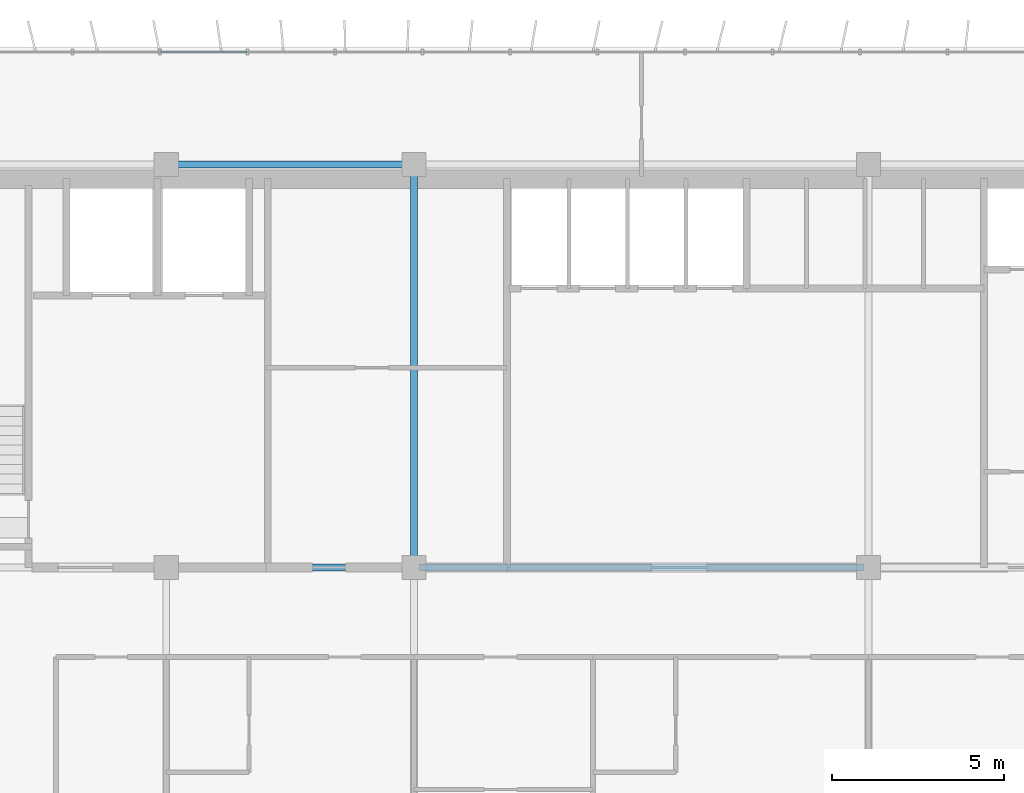
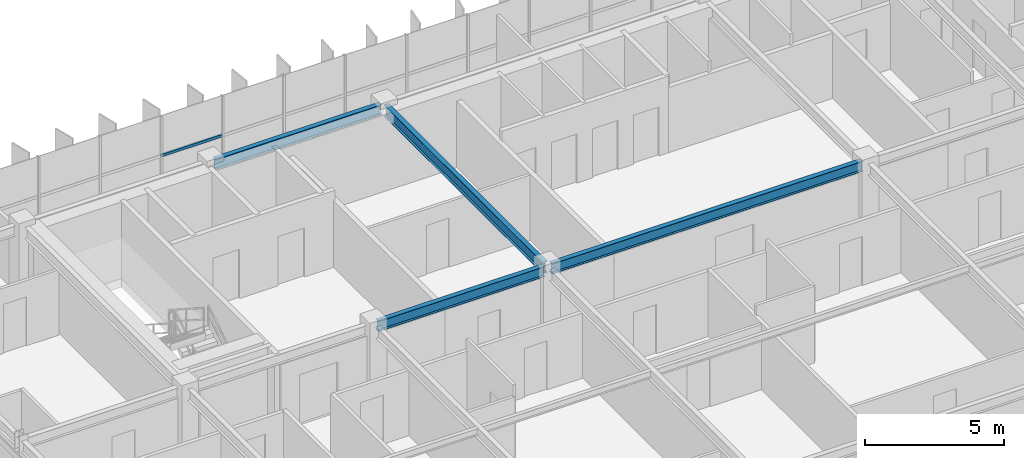
# One storey, part 7 of 23: 4 beams, 1 member, 1 element without a shape of its own.
"""IFC4 building model written with IfcOpenShell, lengths in metres."""

import ifcopenshell
import ifcopenshell.guid

model = None  # the IFC model being written
_history = None  # IfcOwnerHistory: only IFC2X3 demands one
_inside = {}  # id of a spatial element -> (the spatial element, [elements in it])
_under = {}  # id of a project, library or spatial element -> (it, [spatial elements below it])
_declared = {}  # id of a project -> (the project, [libraries it declares])
_typed = {}  # id of a type object -> (the type object, [elements of that type])
_made_of = {}  # id of a material, layer set ... -> (it, [elements and type objects made of it])


def new_model(schema):
    """Start an empty IFC model of exactly this schema.

    Asked for "IFC4X3", IfcOpenShell would pick the latest addendum, in which some entities
    have other attributes; the version numbers below select the first issue.
    IFC2X3 requires an IfcOwnerHistory on every rooted entity: one is made here for all.
    """
    global model, _history
    if schema == "IFC4X3":
        model = ifcopenshell.file(schema_version=(4, 3, 0, 0))
    else:
        model = ifcopenshell.file(schema=schema)
    _inside.clear()
    _under.clear()
    _declared.clear()
    _typed.clear()
    _made_of.clear()
    _history = None
    if model.schema == "IFC2X3":
        org = make("IfcOrganization", Name="unknown")
        user = make(
            "IfcPersonAndOrganization",
            ThePerson=make("IfcPerson", FamilyName="unknown"),
            TheOrganization=org,
        )
        app = make(
            "IfcApplication",
            ApplicationDeveloper=org,
            Version="unknown",
            ApplicationFullName="unknown",
            ApplicationIdentifier="unknown",
        )
        _history = make(
            "IfcOwnerHistory",
            OwningUser=user,
            OwningApplication=app,
            ChangeAction="ADDED",
            CreationDate=0,
        )
    return model


def make(cls, **values):
    """One entity of the class cls with the attributes given. An attribute that is None is left unset."""
    return model.create_entity(
        cls, **{name: value for name, value in values.items() if value is not None}
    )


def rooted(cls, **values):
    """An entity with a GlobalId (a new one), such as an element, a storey or a relation."""
    return make(cls, GlobalId=ifcopenshell.guid.new(), OwnerHistory=_history, **values)


def si_unit(unit_type, name, prefix=None):
    """IfcSIUnit, for example si_unit("LENGTHUNIT", "METRE", prefix="MILLI")."""
    return make("IfcSIUnit", UnitType=unit_type, Prefix=prefix, Name=name)


def assignment(units):
    """IfcUnitAssignment: the units of a project."""
    return None if units is None else make("IfcUnitAssignment", Units=units)


def point(xyz):
    """IfcCartesianPoint."""
    return None if xyz is None else make("IfcCartesianPoint", Coordinates=xyz)


def direction(xyz):
    """IfcDirection."""
    return None if xyz is None else make("IfcDirection", DirectionRatios=xyz)


def frame(location, z_axis=None, x_axis=None):
    """IfcAxis2Placement3D, a coordinate frame: its origin and axes. An axis left out is left unset."""
    return make(
        "IfcAxis2Placement3D",
        Location=point(location),
        Axis=direction(z_axis),
        RefDirection=direction(x_axis),
    )


def frame_2d(location, x_axis=None):
    """IfcAxis2Placement2D, a coordinate frame in the plane: its origin and x axis."""
    return make(
        "IfcAxis2Placement2D", Location=point(location), RefDirection=direction(x_axis)
    )


def origin():
    """The frame at (0, 0, 0) with its axes left unset."""
    return frame((0.0, 0.0, 0.0))


def origin_2d():
    """The frame at (0, 0) in the plane with its x axis left unset."""
    return frame_2d((0.0, 0.0))


def place(relative_to, where):
    """IfcLocalPlacement: puts the frame where relative to a parent placement (None: the world)."""
    return make(
        "IfcLocalPlacement", PlacementRelTo=relative_to, RelativePlacement=where
    )


def context(
    kind, dimensions, precision=None, world=None, true_north=None, identifier=None
):
    """IfcGeometricRepresentationContext, for example the 3D "Model" context."""
    return make(
        "IfcGeometricRepresentationContext",
        ContextIdentifier=identifier,
        ContextType=kind,
        CoordinateSpaceDimension=dimensions,
        Precision=precision,
        WorldCoordinateSystem=world,
        TrueNorth=true_north,
    )


def subcontext(parent, identifier, kind, view, scale=None):
    """IfcGeometricRepresentationSubContext, for example "Body" below "Model"."""
    return make(
        "IfcGeometricRepresentationSubContext",
        ContextIdentifier=identifier,
        ContextType=kind,
        ParentContext=parent,
        TargetScale=scale,
        TargetView=view,
    )


def project(units=None, contexts=None):
    """IfcProject with its units and contexts."""
    return rooted(
        "IfcProject",
        Name="project",
        RepresentationContexts=contexts,
        UnitsInContext=assignment(units),
    )


def spatial(cls, under=None, at=None, **own):
    """A site, building, storey or space (cls), placed at a placement, below another one or the project."""
    s = rooted(cls, ObjectPlacement=at, **own)
    if under is not None:
        _under.setdefault(under.id(), (under, []))[1].append(s)
    return s


def profile(cls, at=None, kind="AREA", **sizes):
    """A parametric profile (cls). Its sizes go by their IFC names, for example OverallWidth=200.0."""
    return make(cls, ProfileType=kind, Position=at, **sizes)


def hollow_rectangle(**sizes):
    """IfcRectangleHollowProfileDef."""
    return profile("IfcRectangleHollowProfileDef", **sizes)


def i_section(**sizes):
    """IfcIShapeProfileDef."""
    return profile("IfcIShapeProfileDef", **sizes)


def extrude(swept, where, along, depth):
    """IfcExtrudedAreaSolid: the profile swept, set in the frame where, extruded along a direction by depth."""
    return make(
        "IfcExtrudedAreaSolid",
        SweptArea=swept,
        Position=where,
        ExtrudedDirection=direction(along),
        Depth=depth,
    )


def shape(context_of_items, identifier, shape_type, items):
    """IfcShapeRepresentation: the items that make up one representation, for example the "Body"."""
    return make(
        "IfcShapeRepresentation",
        ContextOfItems=context_of_items,
        RepresentationIdentifier=identifier,
        RepresentationType=shape_type,
        Items=items,
    )


def source(mapping_origin, context_of_items, identifier, shape_type, items):
    """IfcRepresentationMap: a shape defined once, which mapped items show again and again."""
    return make(
        "IfcRepresentationMap",
        MappingOrigin=mapping_origin,
        MappedRepresentation=shape(context_of_items, identifier, shape_type, items),
    )


def transform(
    local_origin,
    x_axis=None,
    y_axis=None,
    z_axis=None,
    scale=None,
    scale2=None,
    scale3=None,
    uniform=True,
):
    """IfcCartesianTransformationOperator3D, or its non-uniform kind. x_axis, y_axis, z_axis: its Axis1, 2, 3."""
    if uniform:
        return make(
            "IfcCartesianTransformationOperator3D",
            Axis1=direction(x_axis),
            Axis2=direction(y_axis),
            LocalOrigin=point(local_origin),
            Scale=scale,
            Axis3=direction(z_axis),
        )
    return make(
        "IfcCartesianTransformationOperator3DnonUniform",
        Axis1=direction(x_axis),
        Axis2=direction(y_axis),
        LocalOrigin=point(local_origin),
        Scale=scale,
        Axis3=direction(z_axis),
        Scale2=scale2,
        Scale3=scale3,
    )


def mapped(mapping_source, mapping_target):
    """IfcMappedItem: shows the shape of a source again, moved by a transform."""
    return make(
        "IfcMappedItem", MappingSource=mapping_source, MappingTarget=mapping_target
    )


def material(Name=None, Category=None):
    """IfcMaterial."""
    return make("IfcMaterial", Name=Name, Category=Category)


def material_profile(
    of_material, cross_section, Name=None, Category=None, Priority=None
):
    """IfcMaterialProfile: a cross section and its material."""
    return make(
        "IfcMaterialProfile",
        Name=Name,
        Material=of_material,
        Profile=cross_section,
        Priority=Priority,
        Category=Category,
    )


def profile_set(profiles, Name=None, composite=None):
    """IfcMaterialProfileSet."""
    return make(
        "IfcMaterialProfileSet",
        Name=Name,
        MaterialProfiles=profiles,
        CompositeProfile=composite,
    )


def made_of(thing, what):
    """Note that an element or type object is made of a material, layer set ...; save() writes the relation."""
    if what is not None:
        _made_of.setdefault(what.id(), (what, []))[1].append(thing)
    return thing


def type_object(cls, material=None, **own):
    """A type object (cls), such as IfcWallType, which elements share."""
    return made_of(rooted(cls, **own), material)


def element(
    cls,
    number,
    at=None,
    inside=None,
    cuts=None,
    type_object=None,
    material=None,
    context=None,
    identifier="Body",
    shape_type=None,
    held_by="IfcProductDefinitionShape",
    body=None,
    shapes=None,
    **own,
):
    """One element of the class cls, such as IfcWall. Its Tag is "e" and its number.

    at: its placement. inside: the storey or other place that contains it. cuts: it is an
    opening in that element (IfcRelVoidsElement). A single representation is given by context,
    identifier, shape_type and body (its items); several are given by shapes. held_by: the class
    of the entity that holds the representations. save() writes the other relations.
    """
    e = rooted(cls, Tag="e%d" % number, ObjectPlacement=at, **own)
    if body is not None:
        shapes = [shape(context, identifier, shape_type, body)]
    if shapes is not None:
        e.Representation = make(held_by, Representations=shapes)
    if inside is not None:
        _inside.setdefault(inside.id(), (inside, []))[1].append(e)
    if cuts is not None:
        rooted(
            "IfcRelVoidsElement", RelatingBuildingElement=cuts, RelatedOpeningElement=e
        )
    if type_object is not None:
        _typed.setdefault(type_object.id(), (type_object, []))[1].append(e)
    return made_of(e, material)


def aggregate(whole, parts):
    """IfcRelAggregates: a whole, such as a stair, and the parts it consists of."""
    return rooted("IfcRelAggregates", RelatingObject=whole, RelatedObjects=parts)


def save(model, path):
    """Write the relations noted so far, then the file.

    IfcRelAggregates (storeys below a building ...), IfcRelContainedInSpatialStructure (elements
    in a storey), IfcRelDefinesByType, IfcRelAssociatesMaterial and IfcRelDeclares: one each for
    every whole, place, type object, material and project.
    """
    for whole, parts in _under.values():
        aggregate(whole, parts)
    for where, things in _inside.values():
        rooted(
            "IfcRelContainedInSpatialStructure",
            RelatedElements=things,
            RelatingStructure=where,
        )
    for kind, things in _typed.values():
        rooted("IfcRelDefinesByType", RelatedObjects=things, RelatingType=kind)
    for what, things in _made_of.values():
        rooted("IfcRelAssociatesMaterial", RelatedObjects=things, RelatingMaterial=what)
    for by, libraries in _declared.values():
        rooted("IfcRelDeclares", RelatingContext=by, RelatedDefinitions=libraries)
    model.write(path)


model = new_model("IFC4")

# Units and contexts
model_context = context("Model", 3, precision=1e-05, world=origin(), true_north=direction((0.0, 1.0)))
body_context = subcontext(model_context, "Body", "Model", "MODEL_VIEW")
ifc_project = project(units=[si_unit("LENGTHUNIT", "METRE"), si_unit("AREAUNIT", "SQUARE_METRE"), si_unit("VOLUMEUNIT", "CUBIC_METRE"), si_unit("PLANEANGLEUNIT", "RADIAN"), si_unit("MASSUNIT", "GRAM", prefix="KILO")], contexts=[model_context])

# Site, building, storey
site_placement = place(None, origin())
site = spatial("IfcSite", under=ifc_project, at=site_placement, CompositionType="ELEMENT")
building_placement = place(site_placement, origin())
building = spatial("IfcBuilding", under=site, at=building_placement, Name="Trelvane Seafront Commons", CompositionType="ELEMENT")
storey_placement = place(building_placement, frame((0.0, 0.0, 204.89990234375)))
storey = spatial("IfcBuildingStorey", under=building, at=storey_placement, Name="L53", CompositionType="ELEMENT", Elevation=204.89990234375)

# Beams
ifc_material_1 = material(Name="Steel SM355 (S355)", Category="steel")
ifc_material_profile_1 = material_profile(ifc_material_1, i_section(OverallWidth=0.199951171875, OverallDepth=0.5, WebThickness=0.010009765625, FlangeThickness=0.01611328125, at=origin_2d()), Name="H-500x200x10x16")
ifc_profile_set_1 = profile_set([ifc_material_profile_1], Name="Steel SM355 (S355)")
beam_type_1 = type_object("IfcBeamType", Name="STR-BM-H500", PredefinedType="BEAM", material=ifc_profile_set_1)
shared_shape_1 = source(origin(), body_context, "Body", "SweptSolid", [
    extrude(i_section(OverallWidth=0.199951171875, OverallDepth=0.5, WebThickness=0.010009765625, FlangeThickness=0.01611328125, at=origin_2d()), origin(), (0.0, 0.0, 1.0), 11.39990234375),
])
beam_1_placement = place(storey_placement, frame((30.60009765625, 33.550048828125, 3.110107421875), z_axis=(0.0, 1.0, 0.0), x_axis=(-1.0, 0.0, 0.0)))
element("IfcBeam", 1, at=beam_1_placement, inside=storey, type_object=beam_type_1, Name="L53 Primary Girder G-40", PredefinedType="BEAM", context=body_context, shape_type="MappedRepresentation", body=[
    mapped(shared_shape_1, transform((0.0, 0.0, 0.0), x_axis=(1.0, 0.0, 0.0), y_axis=(0.0, 1.0, 0.0), z_axis=(0.0, 0.0, 1.0), scale=1.0)),
])
ifc_material_profile_2 = material_profile(ifc_material_1, i_section(OverallWidth=0.199951171875, OverallDepth=0.449951171875, WebThickness=0.009033203125, FlangeThickness=0.013916015625, at=origin_2d()), Name="H-450x200x9x14")
ifc_profile_set_2 = profile_set([ifc_material_profile_2], Name="Steel SM355 (S355)")
beam_type_2 = type_object("IfcBeamType", Name="STR-SPD-H450", PredefinedType="SPANDREL", material=ifc_profile_set_2)
shared_shape_2 = source(origin(), body_context, "Body", "SweptSolid", [
    extrude(i_section(OverallWidth=0.199951171875, OverallDepth=0.449951171875, WebThickness=0.009033203125, FlangeThickness=0.013916015625, at=origin_2d()), origin(), (0.0, 0.0, 1.0), 6.89990234375),
])
for number, where, z_axis, x_axis, name in (
    (2, (23.550048828125, 33.39990234375, 3.135009765625), (1.0, 0.0, 0.0), (0.0, 1.0, 0.0), "L53 Primary Girder G-17"),
    (3, (23.550048828125, 45.10009765625, 3.135009765625), (1.0, 0.0, 0.0), (0.0, 1.0, 0.0), "L53 Primary Girder G-24"),
):
    element("IfcBeam", number, at=place(storey_placement, frame(where, z_axis=z_axis, x_axis=x_axis)), inside=storey, type_object=beam_type_2, Name=name, PredefinedType="SPANDREL", context=body_context, shape_type="MappedRepresentation", body=[
        mapped(shared_shape_2, transform((0.0, 0.0, 0.0), x_axis=(1.0, 0.0, 0.0), y_axis=(0.0, 1.0, 0.0), z_axis=(0.0, 0.0, 1.0), scale=1.0)),
    ])
shared_shape_3 = source(origin(), body_context, "Body", "SweptSolid", [
    extrude(i_section(OverallWidth=0.199951171875, OverallDepth=0.449951171875, WebThickness=0.009033203125, FlangeThickness=0.013916015625, at=origin_2d()), origin(), (0.0, 0.0, 1.0), 12.89990234375),
])
beam_2_placement = place(storey_placement, frame((30.75, 33.39990234375, 3.135009765625), z_axis=(1.0, 0.0, 0.0), x_axis=(0.0, 1.0, 0.0)))
element("IfcBeam", 4, at=beam_2_placement, inside=storey, type_object=beam_type_2, Name="L53 Primary Girder G-18", PredefinedType="SPANDREL", context=body_context, shape_type="MappedRepresentation", body=[
    mapped(shared_shape_3, transform((0.0, 0.0, 0.0), x_axis=(1.0, 0.0, 0.0), y_axis=(0.0, 1.0, 0.0), z_axis=(0.0, 0.0, 1.0), scale=1.0)),
])

# Curtain wall, member
ifc_material_2 = material(Name="Anodised pale-silver aluminium", Category="aluminium")
curtain_wall_type = type_object("IfcCurtainWallType", Name="ARCH-CW5-UPTOWER", PredefinedType="NOTDEFINED", material=ifc_material_2)
curtain_wall_placement = place(storey_placement, origin())
curtain_wall = element("IfcCurtainWall", 5, at=curtain_wall_placement, inside=storey, type_object=curtain_wall_type, Name="CW-L53-0096", PredefinedType="NOTDEFINED")
ifc_material_profile_3 = material_profile(ifc_material_2, hollow_rectangle(XDim=0.070068359375, YDim=0.1201171875, WallThickness=0.00390625, at=origin_2d()), Name="TRAN-70x120x4")
ifc_profile_set_3 = profile_set([ifc_material_profile_3], Name="Anodised pale-silver aluminium")
member_type = type_object("IfcMemberType", Name="ARCH-CW-TRAN-120", PredefinedType="USERDEFINED", material=ifc_profile_set_3)
shared_shape_4 = source(origin(), body_context, "Body", "SweptSolid", [
    extrude(hollow_rectangle(XDim=0.070068359375, YDim=0.1201171875, WallThickness=0.00390625, at=origin_2d()), origin(), (0.0, 0.0, 1.0), 2.51708984375),
])
member_placement = place(storey_placement, frame((23.235595703125, 48.3701171875, 1.613037109375), z_axis=(1.0, 0.0, 0.0), x_axis=(0.0, 1.0, 0.0)))
member = element("IfcMember", 6, at=member_placement, type_object=member_type, Name="CW-L53-0096-T03", ObjectType="TRANSOM", PredefinedType="USERDEFINED", context=body_context, shape_type="MappedRepresentation", body=[
    mapped(shared_shape_4, transform((0.0, 0.0, 0.0), x_axis=(1.0, 0.0, 0.0), y_axis=(0.0, 1.0, 0.0), z_axis=(0.0, 0.0, 1.0), scale=1.0)),
])
aggregate(curtain_wall, [member])

save(model, "model.ifc")
